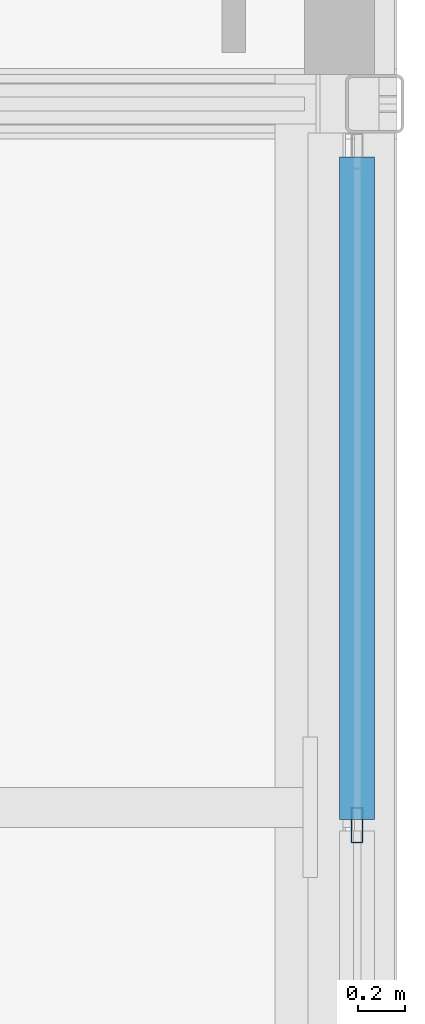
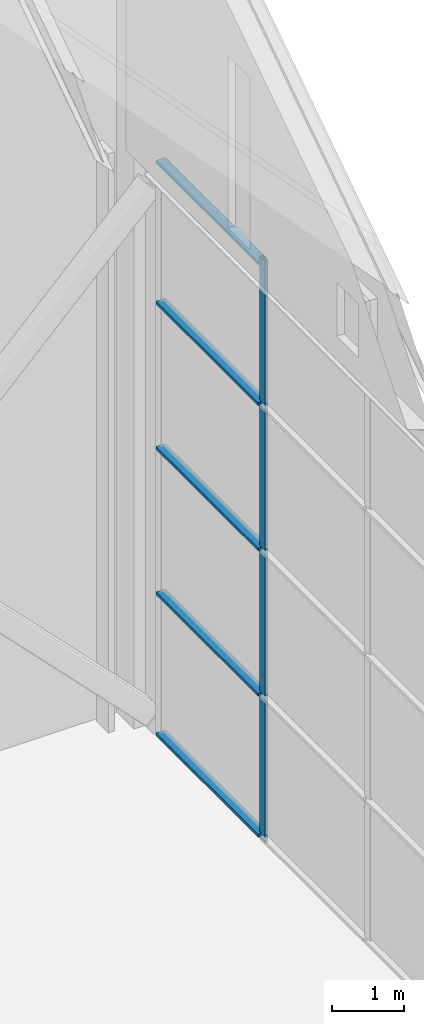
# One storey, part 77 of 111: 6 members, 1 element without a shape of its own.
"""IFC4 building model written with IfcOpenShell, lengths in metres."""

from ifc_helpers import new_model, si_unit, direction, frame, origin, origin_2d, place, context, subcontext, project, spatial, hollow_rectangle, extrude, material, layer, layer_set, material_profile, profile_set, type_object, element, aggregate, save


model = new_model("IFC4")

# Units and contexts
model_context = context("Model", 3, precision=1e-05, world=origin(), true_north=direction((0.0, 1.0)))
body_context = subcontext(model_context, "Body", "Model", "MODEL_VIEW")
ifc_project = project(units=[si_unit("LENGTHUNIT", "METRE"), si_unit("AREAUNIT", "SQUARE_METRE"), si_unit("VOLUMEUNIT", "CUBIC_METRE"), si_unit("PLANEANGLEUNIT", "RADIAN"), si_unit("MASSUNIT", "GRAM", prefix="KILO")], contexts=[model_context])

# Site, building, storey
site_placement = place(None, origin())
site = spatial("IfcSite", under=ifc_project, at=site_placement, CompositionType="ELEMENT")
building_placement = place(site_placement, origin())
building = spatial("IfcBuilding", under=site, at=building_placement, Name="Shorebreak Coast Museum", CompositionType="ELEMENT")
storey_placement = place(building_placement, frame((0.0, 0.0, 16.0)))
storey = spatial("IfcBuildingStorey", under=building, at=storey_placement, Name="L03", CompositionType="ELEMENT", Elevation=16.0)

# Curtain wall, members
ifc_material_1 = material(Name="Aluminium", Category="aluminium")
ifc_layer = layer(ifc_material_1, 0.14990234375)
ifc_layer_set = layer_set([ifc_layer], Name="Aluminium")
curtain_wall_type = type_object("IfcCurtainWallType", Name="Storefront curtain wall", PredefinedType="NOTDEFINED", material=ifc_layer_set)
curtain_wall_placement = place(storey_placement, origin())
curtain_wall = element("IfcCurtainWall", 1, at=curtain_wall_placement, inside=storey, type_object=curtain_wall_type, Name="Gallery end glazing L03 E 2", PredefinedType="NOTDEFINED")
ifc_material_2 = material(Name="Aluminium", Category="aluminium")
ifc_material_profile_1 = material_profile(ifc_material_2, hollow_rectangle(XDim=0.050048828125, YDim=0.14990234375, WallThickness=0.00390625, at=origin_2d()), Name="AL 150x50 RHS")
ifc_profile_set_1 = profile_set([ifc_material_profile_1], Name="Aluminium")
member_type_1 = type_object("IfcMemberType", Name="Storefront mullion 50 x 150", PredefinedType="MULLION", material=ifc_profile_set_1)
member_1_placement = place(storey_placement, frame((170.925048828125, 77.923583984375, 0.0), z_axis=(0.0, 0.0, 1.0), x_axis=(-1.0, 0.0, 0.0)))
member_1 = element("IfcMember", 2, at=member_1_placement, type_object=member_type_1, Name="CW9 mullion 3", PredefinedType="MULLION", context=body_context, shape_type="SweptSolid", body=[
    extrude(hollow_rectangle(XDim=0.050048828125, YDim=0.14990234375, WallThickness=0.00390625, at=origin_2d()), origin(), (0.0, 0.0, 1.0), 9.800048828125),
])
ifc_material_3 = material(Name="Aluminium", Category="aluminium")
ifc_material_profile_2 = material_profile(ifc_material_3, hollow_rectangle(XDim=0.14990234375, YDim=0.050048828125, WallThickness=0.00390625, at=origin_2d()), Name="AL 50x150 RHS")
ifc_profile_set_2 = profile_set([ifc_material_profile_2], Name="Aluminium")
member_type_2 = type_object("IfcMemberType", Name="Storefront transom 150 x 50", PredefinedType="USERDEFINED", material=ifc_profile_set_2)
member_2_placement = place(storey_placement, frame((170.925048828125, 77.94873046875, 0.074951171875), z_axis=(0.0, 1.0, 0.0), x_axis=(-1.0, 0.0, 0.0)))
member_2 = element("IfcMember", 3, at=member_2_placement, type_object=member_type_2, Name="CW9 transom 3.1", ObjectType="TRANSOM", PredefinedType="USERDEFINED", context=body_context, shape_type="SweptSolid", body=[
    extrude(hollow_rectangle(XDim=0.14990234375, YDim=0.050048828125, WallThickness=0.00390625, at=origin_2d()), origin(), (0.0, 0.0, 1.0), 2.82421875),
])
member_3_placement = place(storey_placement, frame((170.925048828125, 77.94873046875, 2.449951171875), z_axis=(0.0, 1.0, 0.0), x_axis=(-1.0, 0.0, 0.0)))
member_3 = element("IfcMember", 4, at=member_3_placement, type_object=member_type_2, Name="CW9 transom 3.2", ObjectType="TRANSOM", PredefinedType="USERDEFINED", context=body_context, shape_type="SweptSolid", body=[
    extrude(hollow_rectangle(XDim=0.14990234375, YDim=0.050048828125, WallThickness=0.00390625, at=origin_2d()), origin(), (0.0, 0.0, 1.0), 2.82421875),
])
member_4_placement = place(storey_placement, frame((170.925048828125, 77.94873046875, 4.89990234375), z_axis=(0.0, 1.0, 0.0), x_axis=(-1.0, 0.0, 0.0)))
member_4 = element("IfcMember", 5, at=member_4_placement, type_object=member_type_2, Name="CW9 transom 3.3", ObjectType="TRANSOM", PredefinedType="USERDEFINED", context=body_context, shape_type="SweptSolid", body=[
    extrude(hollow_rectangle(XDim=0.14990234375, YDim=0.050048828125, WallThickness=0.00390625, at=origin_2d()), origin(), (0.0, 0.0, 1.0), 2.82421875),
])
member_5_placement = place(storey_placement, frame((170.925048828125, 77.94873046875, 7.35009765625), z_axis=(0.0, 1.0, 0.0), x_axis=(-1.0, 0.0, 0.0)))
member_5 = element("IfcMember", 6, at=member_5_placement, type_object=member_type_2, Name="CW9 transom 3.4", ObjectType="TRANSOM", PredefinedType="USERDEFINED", context=body_context, shape_type="SweptSolid", body=[
    extrude(hollow_rectangle(XDim=0.14990234375, YDim=0.050048828125, WallThickness=0.00390625, at=origin_2d()), origin(), (0.0, 0.0, 1.0), 2.82421875),
])
member_6_placement = place(storey_placement, frame((170.925048828125, 77.94873046875, 9.72509765625), z_axis=(0.0, 1.0, 0.0), x_axis=(-1.0, 0.0, 0.0)))
member_6 = element("IfcMember", 7, at=member_6_placement, type_object=member_type_2, Name="CW9 transom 3.5", ObjectType="TRANSOM", PredefinedType="USERDEFINED", context=body_context, shape_type="SweptSolid", body=[
    extrude(hollow_rectangle(XDim=0.14990234375, YDim=0.050048828125, WallThickness=0.00390625, at=origin_2d()), origin(), (0.0, 0.0, 1.0), 2.82421875),
])
aggregate(curtain_wall, [member_1, member_2, member_3, member_4, member_5, member_6])

save(model, "model.ifc")
